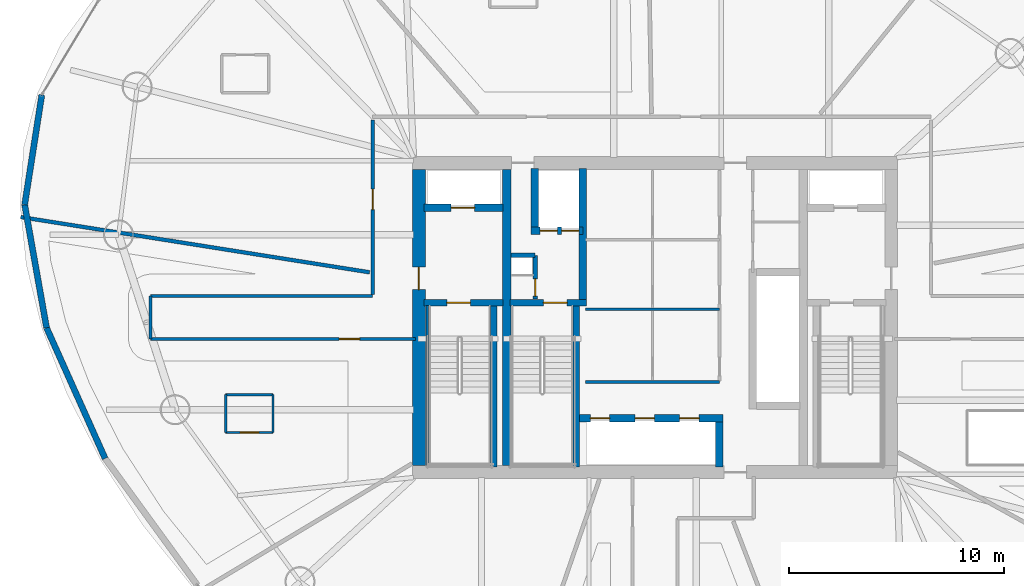
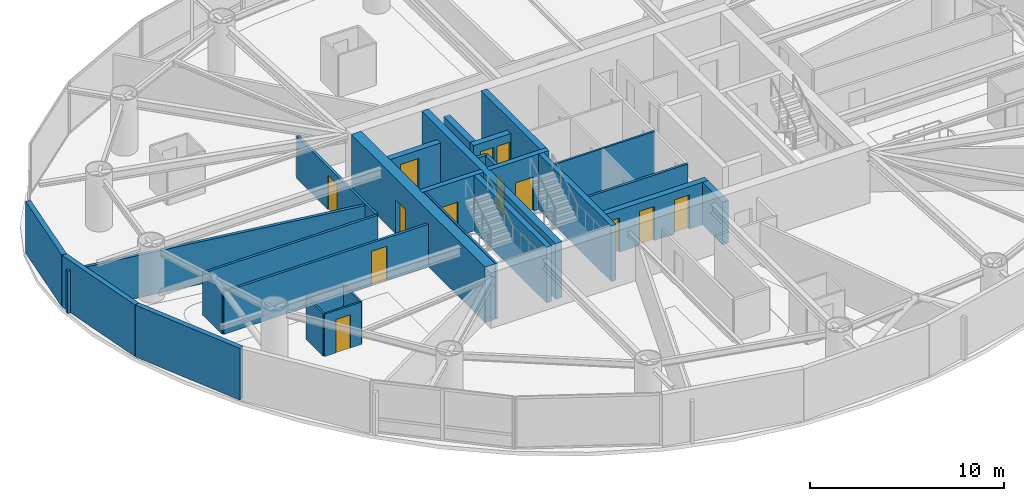
# One storey, part 14 of 20: 29 walls, 13 doors, 13 openings.
"""IFC4 building model written with IfcOpenShell, lengths in metres."""

from ifc_helpers import new_model, si_unit, direction, frame, frame_2d, origin, place, context, subcontext, project, spatial, rectangle, extrude, material, layer, layer_set, type_object, element, fill, save


model = new_model("IFC4")

# Units and contexts
model_context = context("Model", 3, precision=1e-05, world=origin(), true_north=direction((0.0, 1.0)))
body_context = subcontext(model_context, "Body", "Model", "MODEL_VIEW")
ifc_project = project(units=[si_unit("LENGTHUNIT", "METRE"), si_unit("AREAUNIT", "SQUARE_METRE"), si_unit("VOLUMEUNIT", "CUBIC_METRE"), si_unit("PLANEANGLEUNIT", "RADIAN"), si_unit("MASSUNIT", "GRAM", prefix="KILO")], contexts=[model_context])

# Site, building, storey
site_placement = place(None, origin())
site = spatial("IfcSite", under=ifc_project, at=site_placement, CompositionType="ELEMENT")
building_placement = place(site_placement, origin())
building = spatial("IfcBuilding", under=site, at=building_placement, Name="Bramvorn Convention Spire", CompositionType="ELEMENT")
storey_placement = place(building_placement, frame((0.0, 0.0, 113.300048828125)))
storey = spatial("IfcBuildingStorey", under=building, at=storey_placement, Name="L27", CompositionType="ELEMENT", Elevation=113.300048828125)

# Wall, opening, door
ifc_material_1 = material(Name="Concrete C60/70", Category="concrete")
ifc_layer_1 = layer(ifc_material_1, 0.60009765625)
ifc_layer_set_1 = layer_set([ifc_layer_1], Name="Concrete C60/70 - WL-CORE-600")
wall_type_1 = type_object("IfcWallType", Name="WL-CORE-600", PredefinedType="SHEAR", material=ifc_layer_set_1)
wall_1_placement = place(storey_placement, frame((27.0, 19.10009765625, 0.0), z_axis=(0.0, 0.0, 1.0), x_axis=(0.0, 1.0, 0.0)))
wall_1 = element("IfcWall", 1, at=wall_1_placement, inside=storey, type_object=wall_type_1, Name="L27 West RC core shear wall", PredefinedType="SHEAR", context=body_context, shape_type="SweptSolid", body=[
    extrude(rectangle(XDim=13.7998046875, YDim=0.60009765625, at=frame_2d((6.89990234375, 0.0))), origin(), (0.0, 0.0, 1.0), 3.5),
])
opening_1_placement = place(wall_1_placement, frame((8.199951171875, 0.0, 0.0)))
opening_1 = element("IfcOpeningElement", 2, at=opening_1_placement, cuts=wall_1, Name="Opening DL-105", PredefinedType="OPENING", context=body_context, shape_type="SweptSolid", body=[
    extrude(rectangle(XDim=1.050048828125, YDim=2.14990234375, at=frame_2d((0.52490234375, 1.074951171875))), frame((0.0, 0.31005859375, 0.0), z_axis=(0.0, -1.0, 0.0), x_axis=(1.0, 0.0, 0.0)), (0.0, 0.0, 1.0), 0.6201171875),
])
ifc_material_2 = material(Name="Smoke-Sealed Fire Lobby Timber-Core Door", Category="wood")
door_type_1 = type_object("IfcDoorType", Name="DR-LOBBY-1050", OperationType="NOTDEFINED", PredefinedType="DOOR", material=ifc_material_2)
door_1_placement = place(opening_1_placement, origin())
door_1 = element("IfcDoor", 3, at=door_1_placement, inside=storey, type_object=door_type_1, Name="L27 West Firefighting Lobby corridor door", OperationType="SINGLE_SWING_RIGHT", OverallHeight=2.14990234375, OverallWidth=1.050048828125, PredefinedType="DOOR", context=body_context, shape_type="SweptSolid", body=[
    extrude(rectangle(XDim=1.050048828125, YDim=2.14990234375, at=frame_2d((0.52490234375, 1.074951171875))), frame((0.0, 0.02490234375, 0.0), z_axis=(0.0, -1.0, 0.0), x_axis=(1.0, 0.0, 0.0)), (0.0, 0.0, 1.0), 0.050048828125),
])
fill(opening_1, door_1)

ifc_material_3 = material(Name="Concrete C50/60", Category="concrete")
ifc_layer_2 = layer(ifc_material_3, 0.35009765625)
ifc_layer_set_2 = layer_set([ifc_layer_2], Name="Concrete C50/60 - WL-CORE-INT-350")
wall_type_2 = type_object("IfcWallType", Name="WL-CORE-INT-350", PredefinedType="SHEAR", material=ifc_layer_set_2)
wall_2_placement = place(storey_placement, frame((27.25, 31.1201171875, 0.0), z_axis=(0.0, 0.0, 1.0), x_axis=(1.0, 0.0, 0.0)))
wall_2 = element("IfcWall", 4, at=wall_2_placement, inside=storey, type_object=wall_type_2, Name="L27 FE1 shaft front wall", PredefinedType="SHEAR", context=body_context, shape_type="SweptSolid", body=[
    extrude(rectangle(XDim=3.669921875, YDim=0.35009765625, at=frame_2d((1.8349609375, 0.0))), origin(), (0.0, 0.0, 1.0), 2.675048828125),
])
opening_2_placement = place(wall_2_placement, frame((1.25, 0.0, 0.0)))
opening_2 = element("IfcOpeningElement", 5, at=opening_2_placement, cuts=wall_2, Name="Opening LD-110", PredefinedType="OPENING", context=body_context, shape_type="SweptSolid", body=[
    extrude(rectangle(XDim=1.10009765625, YDim=2.14990234375, at=frame_2d((0.550048828125, 1.074951171875))), frame((0.0, 0.18505859375, 0.0), z_axis=(0.0, -1.0, 0.0), x_axis=(1.0, 0.0, 0.0)), (0.0, 0.0, 1.0), 0.3701171875),
])
ifc_material_4 = material(Name="Firefighting & Service Lift Sliding Landing Door", Category="steel")
door_type_2 = type_object("IfcDoorType", Name="DR-LIFT-LD-1100", OperationType="NOTDEFINED", PredefinedType="DOOR", material=ifc_material_4)
door_2_placement = place(opening_2_placement, origin())
door_2 = element("IfcDoor", 6, at=door_2_placement, inside=storey, type_object=door_type_2, Name="L27 Lift FE1 Sliding Landing Door", OperationType="SLIDING_TO_LEFT", OverallHeight=2.14990234375, OverallWidth=1.10009765625, PredefinedType="DOOR", context=body_context, shape_type="SweptSolid", body=[
    extrude(rectangle(XDim=1.10009765625, YDim=2.14990234375, at=frame_2d((0.550048828125, 1.074951171875))), frame((0.0, 0.02490234375, 0.0), z_axis=(0.0, -1.0, 0.0), x_axis=(1.0, 0.0, 0.0)), (0.0, 0.0, 1.0), 0.050048828125),
])
fill(opening_2, door_2)

# Wall
wall_3_placement = place(storey_placement, frame((34.639892578125, 26.68994140625, 0.0), z_axis=(0.0, 0.0, 1.0), x_axis=(0.0, 1.0, 0.0)))
element("IfcWall", 7, at=wall_3_placement, inside=storey, type_object=wall_type_2, Name="L27 SV east core shaft wall", PredefinedType="SHEAR", context=body_context, shape_type="SweptSolid", body=[
    extrude(rectangle(XDim=6.260009765625, YDim=0.35009765625, at=frame_2d((3.1298828125, 0.0))), origin(), (0.0, 0.0, 1.0), 3.5),
])

# Wall, openings, doors
wall_4_placement = place(storey_placement, frame((32.22998046875, 30.050048828125, 0.0), z_axis=(0.0, 0.0, 1.0), x_axis=(1.0, 0.0, 0.0)))
wall_4 = element("IfcWall", 8, at=wall_4_placement, inside=storey, type_object=wall_type_2, Name="L27 SV1/SV2 shaft front wall", PredefinedType="SHEAR", context=body_context, shape_type="SweptSolid", body=[
    extrude(rectangle(XDim=2.409912109375, YDim=0.35009765625, at=frame_2d((1.205078125, 0.0))), origin(), (0.0, 0.0, 1.0), 2.675048828125),
])
opening_3_placement = place(wall_4_placement, frame((0.419921875, 0.0, 0.0)))
opening_3 = element("IfcOpeningElement", 9, at=opening_3_placement, cuts=wall_4, Name="Opening LD-080", PredefinedType="OPENING", context=body_context, shape_type="SweptSolid", body=[
    extrude(rectangle(XDim=0.800048828125, YDim=2.14990234375, at=frame_2d((0.39990234375, 1.074951171875))), frame((0.0, 0.18505859375, 0.0), z_axis=(0.0, -1.0, 0.0), x_axis=(1.0, 0.0, 0.0)), (0.0, 0.0, 1.0), 0.3701171875),
])
opening_4_placement = place(wall_4_placement, frame((1.419921875, 0.0, 0.0)))
opening_4 = element("IfcOpeningElement", 10, at=opening_4_placement, cuts=wall_4, Name="Opening LD-080", PredefinedType="OPENING", context=body_context, shape_type="SweptSolid", body=[
    extrude(rectangle(XDim=0.800048828125, YDim=2.14990234375, at=frame_2d((0.39990234375, 1.074951171875))), frame((0.0, 0.18505859375, 0.0), z_axis=(0.0, -1.0, 0.0), x_axis=(1.0, 0.0, 0.0)), (0.0, 0.0, 1.0), 0.3701171875),
])
ifc_material_5 = material(Name="Service Lift Bi-Parting Landing Door", Category="steel")
door_type_3 = type_object("IfcDoorType", Name="DR-LIFT-LD-800", OperationType="NOTDEFINED", PredefinedType="DOOR", material=ifc_material_5)
door_3_placement = place(opening_3_placement, origin())
door_3 = element("IfcDoor", 11, at=door_3_placement, inside=storey, type_object=door_type_3, Name="L27 Lift SV1 Sliding Landing Door", OperationType="SLIDING_TO_LEFT", OverallHeight=2.14990234375, OverallWidth=0.800048828125, PredefinedType="DOOR", context=body_context, shape_type="SweptSolid", body=[
    extrude(rectangle(XDim=0.800048828125, YDim=2.14990234375, at=frame_2d((0.39990234375, 1.074951171875))), frame((0.0, 0.02490234375, 0.0), z_axis=(0.0, -1.0, 0.0), x_axis=(1.0, 0.0, 0.0)), (0.0, 0.0, 1.0), 0.050048828125),
])
fill(opening_3, door_3)
door_4_placement = place(opening_4_placement, origin())
door_4 = element("IfcDoor", 12, at=door_4_placement, inside=storey, type_object=door_type_3, Name="L27 Lift SV2 Sliding Landing Door", OperationType="SLIDING_TO_LEFT", OverallHeight=2.14990234375, OverallWidth=0.800048828125, PredefinedType="DOOR", context=body_context, shape_type="SweptSolid", body=[
    extrude(rectangle(XDim=0.800048828125, YDim=2.14990234375, at=frame_2d((0.39990234375, 1.074951171875))), frame((0.0, 0.02490234375, 0.0), z_axis=(0.0, -1.0, 0.0), x_axis=(1.0, 0.0, 0.0)), (0.0, 0.0, 1.0), 0.050048828125),
])
fill(opening_4, door_4)

# Wall
wall_5_placement = place(storey_placement, frame((32.39990234375, 30.219970703125, 0.0), z_axis=(0.0, 0.0, 1.0), x_axis=(0.0, 1.0, 0.0)))
element("IfcWall", 13, at=wall_5_placement, inside=storey, type_object=wall_type_2, Name="L27 SV1 west hoistway wall", PredefinedType="SHEAR", context=body_context, shape_type="SweptSolid", body=[
    extrude(rectangle(XDim=2.72998046875, YDim=0.35009765625, at=frame_2d((1.364990234375, 0.0))), origin(), (0.0, 0.0, 1.0), 2.675048828125),
])

# Wall, openings, doors
wall_6_placement = place(storey_placement, frame((34.489990234375, 21.300048828125, 0.0), z_axis=(0.0, 0.0, 1.0), x_axis=(1.0, 0.0, 0.0)))
wall_6 = element("IfcWall", 14, at=wall_6_placement, inside=storey, type_object=wall_type_2, Name="L27 Mid-rise bank north landing wall", PredefinedType="SHEAR", context=body_context, shape_type="SweptSolid", body=[
    extrude(rectangle(XDim=6.679931640625, YDim=0.35009765625, at=frame_2d((3.33984375, 0.0))), origin(), (0.0, 0.0, 1.0), 2.675048828125),
])
opening_5_placement = place(wall_6_placement, frame((0.5, 0.0, 0.0)))
opening_5 = element("IfcOpeningElement", 15, at=opening_5_placement, cuts=wall_6, Name="Opening LD-090", PredefinedType="OPENING", context=body_context, shape_type="SweptSolid", body=[
    extrude(rectangle(XDim=0.89990234375, YDim=2.14990234375, at=frame_2d((0.449951171875, 1.074951171875))), frame((0.0, 0.18505859375, 0.0), z_axis=(0.0, -1.0, 0.0), x_axis=(1.0, 0.0, 0.0)), (0.0, 0.0, 1.0), 0.3701171875),
])
opening_6_placement = place(wall_6_placement, frame((2.580078125, 0.0, 0.0)))
opening_6 = element("IfcOpeningElement", 16, at=opening_6_placement, cuts=wall_6, Name="Opening LD-090", PredefinedType="OPENING", context=body_context, shape_type="SweptSolid", body=[
    extrude(rectangle(XDim=0.89990234375, YDim=2.14990234375, at=frame_2d((0.449951171875, 1.074951171875))), frame((0.0, 0.18505859375, 0.0), z_axis=(0.0, -1.0, 0.0), x_axis=(1.0, 0.0, 0.0)), (0.0, 0.0, 1.0), 0.3701171875),
])
opening_7_placement = place(wall_6_placement, frame((4.659912109375, 0.0, 0.0)))
opening_7 = element("IfcOpeningElement", 17, at=opening_7_placement, cuts=wall_6, Name="Opening LD-090", PredefinedType="OPENING", context=body_context, shape_type="SweptSolid", body=[
    extrude(rectangle(XDim=0.89990234375, YDim=2.14990234375, at=frame_2d((0.449951171875, 1.074951171875))), frame((0.0, 0.18505859375, 0.0), z_axis=(0.0, -1.0, 0.0), x_axis=(1.0, 0.0, 0.0)), (0.0, 0.0, 1.0), 0.3701171875),
])
ifc_material_6 = material(Name="Bi-Parting Fire-Rated Lift Landing Door", Category="steel")
door_type_4 = type_object("IfcDoorType", Name="DR-LIFT-LD-900", OperationType="NOTDEFINED", PredefinedType="DOOR", material=ifc_material_6)
door_5_placement = place(opening_5_placement, origin())
door_5 = element("IfcDoor", 18, at=door_5_placement, inside=storey, type_object=door_type_4, Name="L27 Lift PM1 Sliding Landing Door", OperationType="SLIDING_TO_LEFT", OverallHeight=2.14990234375, OverallWidth=0.89990234375, PredefinedType="DOOR", context=body_context, shape_type="SweptSolid", body=[
    extrude(rectangle(XDim=0.89990234375, YDim=2.14990234375, at=frame_2d((0.449951171875, 1.074951171875))), frame((0.0, 0.02490234375, 0.0), z_axis=(0.0, -1.0, 0.0), x_axis=(1.0, 0.0, 0.0)), (0.0, 0.0, 1.0), 0.050048828125),
])
fill(opening_5, door_5)
door_6_placement = place(opening_6_placement, origin())
door_6 = element("IfcDoor", 19, at=door_6_placement, inside=storey, type_object=door_type_4, Name="L27 Lift PM2 Sliding Landing Door", OperationType="SLIDING_TO_LEFT", OverallHeight=2.14990234375, OverallWidth=0.89990234375, PredefinedType="DOOR", context=body_context, shape_type="SweptSolid", body=[
    extrude(rectangle(XDim=0.89990234375, YDim=2.14990234375, at=frame_2d((0.449951171875, 1.074951171875))), frame((0.0, 0.02490234375, 0.0), z_axis=(0.0, -1.0, 0.0), x_axis=(1.0, 0.0, 0.0)), (0.0, 0.0, 1.0), 0.050048828125),
])
fill(opening_6, door_6)
door_7_placement = place(opening_7_placement, origin())
door_7 = element("IfcDoor", 20, at=door_7_placement, inside=storey, type_object=door_type_4, Name="L27 Lift PM3 Sliding Landing Door", OperationType="SLIDING_TO_LEFT", OverallHeight=2.14990234375, OverallWidth=0.89990234375, PredefinedType="DOOR", context=body_context, shape_type="SweptSolid", body=[
    extrude(rectangle(XDim=0.89990234375, YDim=2.14990234375, at=frame_2d((0.449951171875, 1.074951171875))), frame((0.0, 0.02490234375, 0.0), z_axis=(0.0, -1.0, 0.0), x_axis=(1.0, 0.0, 0.0)), (0.0, 0.0, 1.0), 0.050048828125),
])
fill(opening_7, door_7)

# Walls
wall_7_placement = place(storey_placement, frame((41.0, 19.050048828125, 0.0), z_axis=(0.0, 0.0, 1.0), x_axis=(0.0, 1.0, 0.0)))
element("IfcWall", 21, at=wall_7_placement, inside=storey, type_object=wall_type_2, Name="L27 Mid-rise bank east cheek wall", PredefinedType="SHEAR", context=body_context, shape_type="SweptSolid", body=[
    extrude(rectangle(XDim=2.079833984375, YDim=0.35009765625, at=frame_2d((1.0400390625, 0.0))), origin(), (0.0, 0.0, 1.0), 2.675048828125),
])
ifc_layer_3 = layer(ifc_material_1, 0.39990234375)
ifc_layer_set_3 = layer_set([ifc_layer_3], Name="Concrete C60/70 - WL-CORE-INT-400")
wall_type_3 = type_object("IfcWallType", Name="WL-CORE-INT-400", PredefinedType="SHEAR", material=ifc_layer_set_3)
wall_8_placement = place(storey_placement, frame((31.10009765625, 19.10009765625, 0.0), z_axis=(0.0, 0.0, 1.0), x_axis=(0.0, 1.0, 0.0)))
element("IfcWall", 22, at=wall_8_placement, inside=storey, type_object=wall_type_3, Name="L27 West internal core shear web", PredefinedType="SHEAR", context=body_context, shape_type="SweptSolid", body=[
    extrude(rectangle(XDim=13.7998046875, YDim=0.39990234375, at=frame_2d((6.89990234375, 0.0))), origin(), (0.0, 0.0, 1.0), 3.5),
])
ifc_material_7 = material(Name="Precast Concrete C40/50 with Bronze Terracotta Rainscreen", Category="masonry")
ifc_layer_4 = layer(ifc_material_7, 0.300048828125)
ifc_layer_set_4 = layer_set([ifc_layer_4], Name="Precast Concrete C40/50 with Bronze Terracotta Rainscreen - WL-EXT-BRONZE-300")
wall_type_4 = type_object("IfcWallType", Name="WL-EXT-BRONZE-300", PredefinedType="SOLIDWALL", material=ifc_layer_set_4)
wall_9_placement = place(storey_placement, frame((8.64501953125, 31.253173828125, 0.0), z_axis=(0.0, 0.0, 1.0), x_axis=(0.154237267415, 0.988033838156, 0.0)))
element("IfcWall", 23, at=wall_9_placement, inside=storey, type_object=wall_type_4, Name="L27 expressed bronze Gothic lancet pier wall 13", PredefinedType="SOLIDWALL", context=body_context, shape_type="SweptSolid", body=[
    extrude(rectangle(XDim=5.174560546875, YDim=0.280029296875, at=frame_2d((2.58740234375, 0.0))), origin(), (0.0, 0.0, 1.0), 3.260009765625),
])
wall_10_placement = place(storey_placement, frame((9.66552734375, 25.5205078125, 0.0), z_axis=(0.0, 0.0, 1.0), x_axis=(-0.175260935911, 0.984522018212, 0.0)))
element("IfcWall", 24, at=wall_10_placement, inside=storey, type_object=wall_type_4, Name="L27 expressed bronze Gothic lancet pier wall 14", PredefinedType="SOLIDWALL", context=body_context, shape_type="SweptSolid", body=[
    extrude(rectangle(XDim=5.82275390625, YDim=0.280029296875, at=frame_2d((2.911376953125, 0.0))), origin(), (0.0, 0.0, 1.0), 3.260009765625),
])
wall_11_placement = place(storey_placement, frame((12.39111328125, 19.438232421875, 0.0), z_axis=(0.0, 0.0, 1.0), x_axis=(-0.408937052671, 0.912562593444, 0.0)))
element("IfcWall", 25, at=wall_11_placement, inside=storey, type_object=wall_type_4, Name="L27 expressed bronze Gothic lancet pier wall 15", PredefinedType="SOLIDWALL", context=body_context, shape_type="SweptSolid", body=[
    extrude(rectangle(XDim=6.6650390625, YDim=0.280029296875, at=frame_2d((3.33251953125, 0.0))), origin(), (0.0, 0.0, 1.0), 3.260009765625),
])
ifc_material_8 = material(Name="Lightweight En-Suite & Wet-Wall Partition", Category="gypsum")
ifc_layer_5 = layer(ifc_material_8, 0.110107421875)
ifc_layer_set_5 = layer_set([ifc_layer_5], Name="Lightweight En-Suite & Wet-Wall Partition - WL-PART-110")
wall_type_5 = type_object("IfcWallType", Name="WL-PART-110", PredefinedType="PARTITIONING", material=ifc_layer_set_5)
wall_12_placement = place(storey_placement, frame((34.75, 26.382080078125, 0.0), z_axis=(0.0, 0.0, 1.0), x_axis=(1.0, 0.0, 0.0)))
element("IfcWall", 26, at=wall_12_placement, inside=storey, type_object=wall_type_5, Name="L27 KB divider 1", PredefinedType="PARTITIONING", context=body_context, shape_type="SweptSolid", body=[
    extrude(rectangle(XDim=6.25, YDim=0.110107421875, at=frame_2d((3.125, 0.0))), origin(), (0.0, 0.0, 1.0), 2.675048828125),
])

# Wall, opening, door
wall_13_placement = place(storey_placement, frame((18.00634765625, 20.6474609375, 0.0), z_axis=(0.0, 0.0, 1.0), x_axis=(1.0, 0.0, 0.0)))
wall_13 = element("IfcWall", 27, at=wall_13_placement, inside=storey, type_object=wall_type_5, Name="Hotel Suite 2705 en-suite south wall", PredefinedType="PARTITIONING", context=body_context, shape_type="SweptSolid", body=[
    extrude(rectangle(XDim=2.199951171875, YDim=0.110107421875, at=frame_2d((1.10009765625, 0.0))), origin(), (0.0, 0.0, 1.0), 2.675048828125),
])
opening_8_placement = place(wall_13_placement, frame((0.679931640625, 0.0, 0.0)))
opening_8 = element("IfcOpeningElement", 28, at=opening_8_placement, cuts=wall_13, Name="Opening DI-085", PredefinedType="OPENING", context=body_context, shape_type="SweptSolid", body=[
    extrude(rectangle(XDim=0.85009765625, YDim=2.10009765625, at=frame_2d((0.425048828125, 1.050048828125))), frame((0.0, 0.06494140625, 0.0), z_axis=(0.0, -1.0, 0.0), x_axis=(1.0, 0.0, 0.0)), (0.0, 0.0, 1.0), 0.130126953125),
])
ifc_material_9 = material(Name="En-Suite & Restroom Privacy Door", Category="wood")
door_type_5 = type_object("IfcDoorType", Name="DR-INT-850", OperationType="NOTDEFINED", PredefinedType="DOOR", material=ifc_material_9)
door_8_placement = place(opening_8_placement, origin())
door_8 = element("IfcDoor", 29, at=door_8_placement, inside=storey, type_object=door_type_5, Name="Hotel Suite 2705 En-Suite Bathroom door", OperationType="SINGLE_SWING_LEFT", OverallHeight=2.10009765625, OverallWidth=0.85009765625, PredefinedType="DOOR", context=body_context, shape_type="SweptSolid", body=[
    extrude(rectangle(XDim=0.85009765625, YDim=2.10009765625, at=frame_2d((0.425048828125, 1.050048828125))), frame((0.0, 0.02490234375, 0.0), z_axis=(0.0, -1.0, 0.0), x_axis=(1.0, 0.0, 0.0)), (0.0, 0.0, 1.0), 0.050048828125),
])
fill(opening_8, door_8)

# Walls
wall_14_placement = place(storey_placement, frame((18.00634765625, 22.407470703125, 0.0), z_axis=(0.0, 0.0, 1.0), x_axis=(1.0, 0.0, 0.0)))
element("IfcWall", 30, at=wall_14_placement, inside=storey, type_object=wall_type_5, Name="Hotel Suite 2705 en-suite north wall", PredefinedType="PARTITIONING", context=body_context, shape_type="SweptSolid", body=[
    extrude(rectangle(XDim=2.199951171875, YDim=0.110107421875, at=frame_2d((1.10009765625, 0.0))), origin(), (0.0, 0.0, 1.0), 2.675048828125),
])
for number, where, z_axis, x_axis, name in (
    (31, (18.00634765625, 20.6474609375, 0.0), (0.0, 0.0, 1.0), (0.0, 1.0, 0.0), "Hotel Suite 2705 en-suite west wall"),
    (32, (20.206298828125, 20.6474609375, 0.0), (0.0, 0.0, 1.0), (0.0, 1.0, 0.0), "Hotel Suite 2705 en-suite east wall"),
):
    element("IfcWall", number, at=place(storey_placement, frame(where, z_axis=z_axis, x_axis=x_axis)), inside=storey, type_object=wall_type_5, Name=name, PredefinedType="PARTITIONING", context=body_context, shape_type="SweptSolid", body=[
        extrude(rectangle(XDim=1.760009765625, YDim=0.110107421875, at=frame_2d((0.8798828125, 0.0))), origin(), (0.0, 0.0, 1.0), 2.675048828125),
    ])
ifc_material_10 = material(Name="Acoustic Metal-Stud Tenant/Corridor Partition", Category="gypsum")
ifc_layer_6 = layer(ifc_material_10, 0.14990234375)
ifc_layer_set_6 = layer_set([ifc_layer_6], Name="Acoustic Metal-Stud Tenant/Corridor Partition - WL-PART-150")
wall_type_6 = type_object("IfcWallType", Name="WL-PART-150", PredefinedType="PARTITIONING", material=ifc_layer_set_6)
wall_15_placement = place(storey_placement, frame((34.75, 23.0, 0.0), z_axis=(0.0, 0.0, 1.0), x_axis=(1.0, 0.0, 0.0)))
element("IfcWall", 33, at=wall_15_placement, inside=storey, type_object=wall_type_6, Name="L27 Mid-rise lift vestibule north wall", PredefinedType="PARTITIONING", context=body_context, shape_type="SweptSolid", body=[
    extrude(rectangle(XDim=6.25, YDim=0.14990234375, at=frame_2d((3.125, 0.0))), origin(), (0.0, 0.0, 1.0), 2.675048828125),
])

# Wall, opening, door
wall_16_placement = place(storey_placement, frame((24.85009765625, 27.080078125, 0.0), z_axis=(0.0, 0.0, 1.0), x_axis=(0.0, 1.0, 0.0)))
wall_16 = element("IfcWall", 34, at=wall_16_placement, inside=storey, type_object=wall_type_6, Name="L27 NW gallery cheek", PredefinedType="PARTITIONING", context=body_context, shape_type="SweptSolid", body=[
    extrude(rectangle(XDim=8.119873046875, YDim=0.14990234375, at=frame_2d((4.06005859375, 0.0))), origin(), (0.0, 0.0, 1.0), 2.675048828125),
])
opening_9_placement = place(wall_16_placement, frame((3.94775390625, 0.0, 0.0)))
opening_9 = element("IfcOpeningElement", 35, at=opening_9_placement, cuts=wall_16, Name="Opening DH-095", PredefinedType="OPENING", context=body_context, shape_type="SweptSolid", body=[
    extrude(rectangle(XDim=0.949951171875, YDim=2.14990234375, at=frame_2d((0.47509765625, 1.074951171875))), frame((0.0, 0.0849609375, 0.0), z_axis=(0.0, -1.0, 0.0), x_axis=(1.0, 0.0, 0.0)), (0.0, 0.0, 1.0), 0.169921875),
])
ifc_material_11 = material(Name="Solid-Core Acoustic Guestroom Entry Door", Category="wood")
door_type_6 = type_object("IfcDoorType", Name="DR-HOTEL-950", OperationType="NOTDEFINED", PredefinedType="DOOR", material=ifc_material_11)
door_9_placement = place(opening_9_placement, origin())
door_9 = element("IfcDoor", 36, at=door_9_placement, inside=storey, type_object=door_type_6, Name="Hotel Suite 2704 entry door", OperationType="SINGLE_SWING_RIGHT", OverallHeight=2.14990234375, OverallWidth=0.949951171875, PredefinedType="DOOR", context=body_context, shape_type="SweptSolid", body=[
    extrude(rectangle(XDim=0.949951171875, YDim=2.14990234375, at=frame_2d((0.47509765625, 1.074951171875))), frame((0.0, 0.02490234375, 0.0), z_axis=(0.0, -1.0, 0.0), x_axis=(1.0, 0.0, 0.0)), (0.0, 0.0, 1.0), 0.050048828125),
])
fill(opening_9, door_9)

# Wall
wall_17_placement = place(storey_placement, frame((14.5, 27.0, 0.0), z_axis=(0.0, 0.0, 1.0), x_axis=(1.0, 0.0, 0.0)))
element("IfcWall", 37, at=wall_17_placement, inside=storey, type_object=wall_type_6, Name="L27 West wing spine north wall", PredefinedType="PARTITIONING", context=body_context, shape_type="SweptSolid", body=[
    extrude(rectangle(XDim=10.35009765625, YDim=0.14990234375, at=frame_2d((5.175048828125, 0.0))), origin(), (0.0, 0.0, 1.0), 2.675048828125),
])

# Wall, opening, door
wall_18_placement = place(storey_placement, frame((14.5, 25.0, 0.0), z_axis=(0.0, 0.0, 1.0), x_axis=(1.0, 0.0, 0.0)))
wall_18 = element("IfcWall", 38, at=wall_18_placement, inside=storey, type_object=wall_type_6, Name="L27 West wing spine south wall", PredefinedType="PARTITIONING", context=body_context, shape_type="SweptSolid", body=[
    extrude(rectangle(XDim=12.35009765625, YDim=0.14990234375, at=frame_2d((6.175048828125, 0.0))), origin(), (0.0, 0.0, 1.0), 2.675048828125),
])
opening_10_placement = place(wall_18_placement, frame((8.78759765625, 0.0, 0.0)))
opening_10 = element("IfcOpeningElement", 39, at=opening_10_placement, cuts=wall_18, Name="Opening DH-095", PredefinedType="OPENING", context=body_context, shape_type="SweptSolid", body=[
    extrude(rectangle(XDim=0.949951171875, YDim=2.14990234375, at=frame_2d((0.47509765625, 1.074951171875))), frame((0.0, 0.0849609375, 0.0), z_axis=(0.0, -1.0, 0.0), x_axis=(1.0, 0.0, 0.0)), (0.0, 0.0, 1.0), 0.169921875),
])
door_10_placement = place(opening_10_placement, origin())
door_10 = element("IfcDoor", 40, at=door_10_placement, inside=storey, type_object=door_type_6, Name="Hotel Suite 2705 entry door", OperationType="SINGLE_SWING_LEFT", OverallHeight=2.14990234375, OverallWidth=0.949951171875, PredefinedType="DOOR", context=body_context, shape_type="SweptSolid", body=[
    extrude(rectangle(XDim=0.949951171875, YDim=2.14990234375, at=frame_2d((0.47509765625, 1.074951171875))), frame((0.0, 0.02490234375, 0.0), z_axis=(0.0, -1.0, 0.0), x_axis=(1.0, 0.0, 0.0)), (0.0, 0.0, 1.0), 0.050048828125),
])
fill(opening_10, door_10)

# Walls
wall_19_placement = place(storey_placement, frame((14.5, 25.0, 0.0), z_axis=(0.0, 0.0, 1.0), x_axis=(0.0, 1.0, 0.0)))
element("IfcWall", 41, at=wall_19_placement, inside=storey, type_object=wall_type_6, Name="L27 West wing spine end wall", PredefinedType="PARTITIONING", context=body_context, shape_type="SweptSolid", body=[
    extrude(rectangle(XDim=2.0, YDim=0.14990234375, at=frame_2d((1.0, 0.0))), origin(), (0.0, 0.0, 1.0), 2.675048828125),
])
ifc_material_12 = material(Name="Double-Stud Acoustic Hotel/Suite Partition", Category="gypsum")
ifc_layer_7 = layer(ifc_material_12, 0.175048828125)
ifc_layer_set_7 = layer_set([ifc_layer_7], Name="Double-Stud Acoustic Hotel/Suite Partition - WL-PART-175")
wall_type_7 = type_object("IfcWallType", Name="WL-PART-175", PredefinedType="PARTITIONING", material=ifc_layer_set_7)
wall_20_placement = place(storey_placement, frame((24.7099609375, 28.10498046875, 0.0), z_axis=(0.0, 0.0, 1.0), x_axis=(-0.98768802025, 0.156436487606, 0.0)))
element("IfcWall", 42, at=wall_20_placement, inside=storey, type_object=wall_type_7, Name="L27 Guestroom demising wall 5", PredefinedType="PARTITIONING", context=body_context, shape_type="SweptSolid", body=[
    extrude(rectangle(XDim=16.453857421875, YDim=0.175048828125, at=frame_2d((8.22705078125, 0.0))), origin(), (0.0, 0.0, 1.0), 2.675048828125),
])

# Wall, opening, door
ifc_material_13 = material(Name="Gypsum Shaftwall & Rockwool Core Partition", Category="gypsum")
ifc_layer_8 = layer(ifc_material_13, 0.199951171875)
ifc_layer_set_8 = layer_set([ifc_layer_8], Name="Gypsum Shaftwall & Rockwool Core Partition - WL-PART-200-FR")
wall_type_8 = type_object("IfcWallType", Name="WL-PART-200-FR", PredefinedType="PARTITIONING", material=ifc_layer_set_8)
wall_21_placement = place(storey_placement, frame((32.419921875, 26.860107421875, 0.0), z_axis=(0.0, 0.0, 1.0), x_axis=(0.0, 1.0, 0.0)))
wall_21 = element("IfcWall", 43, at=wall_21_placement, inside=storey, type_object=wall_type_8, Name="L27 Telecom riser east wall", PredefinedType="PARTITIONING", context=body_context, shape_type="SweptSolid", body=[
    extrude(rectangle(XDim=2.039794921875, YDim=0.199951171875, at=frame_2d((1.02001953125, 0.0))), origin(), (0.0, 0.0, 1.0), 2.675048828125),
])
opening_11_placement = place(wall_21_placement, frame((0.139892578125, 0.0, 0.0)))
opening_11 = element("IfcOpeningElement", 44, at=opening_11_placement, cuts=wall_21, Name="Opening DR-080", PredefinedType="OPENING", context=body_context, shape_type="SweptSolid", body=[
    extrude(rectangle(XDim=0.800048828125, YDim=2.050048828125, at=frame_2d((0.39990234375, 1.02490234375))), frame((0.0, 0.10986328125, 0.0), z_axis=(0.0, -1.0, 0.0), x_axis=(1.0, 0.0, 0.0)), (0.0, 0.0, 1.0), 0.219970703125),
])
ifc_material_14 = material(Name="Flush Steel Riser Access Door", Category="steel")
door_type_7 = type_object("IfcDoorType", Name="DR-RISER-800", OperationType="NOTDEFINED", PredefinedType="DOOR", material=ifc_material_14)
door_11_placement = place(opening_11_placement, origin())
door_11 = element("IfcDoor", 45, at=door_11_placement, inside=storey, type_object=door_type_7, Name="L27 Telecom riser access door", OperationType="SINGLE_SWING_RIGHT", OverallHeight=2.050048828125, OverallWidth=0.800048828125, PredefinedType="DOOR", context=body_context, shape_type="SweptSolid", body=[
    extrude(rectangle(XDim=0.800048828125, YDim=2.050048828125, at=frame_2d((0.39990234375, 1.02490234375))), frame((0.0, 0.02490234375, 0.0), z_axis=(0.0, -1.0, 0.0), x_axis=(1.0, 0.0, 0.0)), (0.0, 0.0, 1.0), 0.050048828125),
])
fill(opening_11, door_11)

# Wall
wall_22_placement = place(storey_placement, frame((31.300048828125, 28.89990234375, 0.0), z_axis=(0.0, 0.0, 1.0), x_axis=(1.0, 0.0, 0.0)))
element("IfcWall", 46, at=wall_22_placement, inside=storey, type_object=wall_type_8, Name="L27 Telecom riser north wall", PredefinedType="PARTITIONING", context=body_context, shape_type="SweptSolid", body=[
    extrude(rectangle(XDim=1.119873046875, YDim=0.199951171875, at=frame_2d((0.56005859375, 0.0))), origin(), (0.0, 0.0, 1.0), 2.675048828125),
])

# Wall, opening, door
ifc_layer_9 = layer(ifc_material_3, 0.300048828125)
ifc_layer_set_9 = layer_set([ifc_layer_9], Name="Concrete C50/60 - WL-POD-STAIR-300")
wall_type_9 = type_object("IfcWallType", Name="WL-POD-STAIR-300", PredefinedType="SHEAR", material=ifc_layer_set_9)
wall_23_placement = place(storey_placement, frame((27.25, 26.68994140625, 0.0), z_axis=(0.0, 0.0, 1.0), x_axis=(1.0, 0.0, 0.0)))
wall_23 = element("IfcWall", 47, at=wall_23_placement, inside=storey, type_object=wall_type_9, Name="L27 ST1 north fire wall", PredefinedType="SHEAR", context=body_context, shape_type="SweptSolid", body=[
    extrude(rectangle(XDim=3.669921875, YDim=0.300048828125, at=frame_2d((1.8349609375, 0.0))), origin(), (0.0, 0.0, 1.0), 3.5),
])
opening_12_placement = place(wall_23_placement, frame((1.050048828125, 0.0, 0.0)))
opening_12 = element("IfcOpeningElement", 48, at=opening_12_placement, cuts=wall_23, Name="Opening DS-110", PredefinedType="OPENING", context=body_context, shape_type="SweptSolid", body=[
    extrude(rectangle(XDim=1.10009765625, YDim=2.14990234375, at=frame_2d((0.550048828125, 1.074951171875))), frame((0.0, 0.159912109375, 0.0), z_axis=(0.0, -1.0, 0.0), x_axis=(1.0, 0.0, 0.0)), (0.0, 0.0, 1.0), 0.320068359375),
])
ifc_material_15 = material(Name="Fire-Rated Hollow Steel Stairwell Door", Category="steel")
door_type_8 = type_object("IfcDoorType", Name="DR-STAIR-1100", OperationType="NOTDEFINED", PredefinedType="DOOR", material=ifc_material_15)
door_12_placement = place(opening_12_placement, origin())
door_12 = element("IfcDoor", 49, at=door_12_placement, inside=storey, type_object=door_type_8, Name="L27 Stair ST1 fire door", OperationType="SINGLE_SWING_LEFT", OverallHeight=2.14990234375, OverallWidth=1.10009765625, PredefinedType="DOOR", context=body_context, shape_type="SweptSolid", body=[
    extrude(rectangle(XDim=1.10009765625, YDim=2.14990234375, at=frame_2d((0.550048828125, 1.074951171875))), frame((0.0, 0.02490234375, 0.0), z_axis=(0.0, -1.0, 0.0), x_axis=(1.0, 0.0, 0.0)), (0.0, 0.0, 1.0), 0.050048828125),
])
fill(opening_12, door_12)

# Walls
for number, where, z_axis, x_axis, name in (
    (50, (30.489990234375, 19.050048828125, 0.0), (0.0, 0.0, 1.0), (0.0, 1.0, 0.0), "L27 ST1 east bearing wall"),
    (51, (34.340087890625, 19.050048828125, 0.0), (0.0, 0.0, 1.0), (0.0, 1.0, 0.0), "L27 ST3 east bearing wall"),
):
    element("IfcWall", number, at=place(storey_placement, frame(where, z_axis=z_axis, x_axis=x_axis)), inside=storey, type_object=wall_type_9, Name=name, PredefinedType="SHEAR", context=body_context, shape_type="SweptSolid", body=[
        extrude(rectangle(XDim=7.5, YDim=0.300048828125, at=frame_2d((3.75, 0.0))), origin(), (0.0, 0.0, 1.0), 3.5),
    ])

# Wall, opening, door
wall_24_placement = place(storey_placement, frame((31.25, 26.68994140625, 0.0), z_axis=(0.0, 0.0, 1.0), x_axis=(1.0, 0.0, 0.0)))
wall_24 = element("IfcWall", 52, at=wall_24_placement, inside=storey, type_object=wall_type_9, Name="L27 ST3 north lobby wall", PredefinedType="SHEAR", context=body_context, shape_type="SweptSolid", body=[
    extrude(rectangle(XDim=3.56005859375, YDim=0.300048828125, at=frame_2d((1.780029296875, 0.0))), origin(), (0.0, 0.0, 1.0), 3.5),
])
opening_13_placement = place(wall_24_placement, frame((1.550048828125, 0.0, 0.0)))
opening_13 = element("IfcOpeningElement", 53, at=opening_13_placement, cuts=wall_24, Name="Opening DS-110", PredefinedType="OPENING", context=body_context, shape_type="SweptSolid", body=[
    extrude(rectangle(XDim=1.10009765625, YDim=2.14990234375, at=frame_2d((0.550048828125, 1.074951171875))), frame((0.0, 0.159912109375, 0.0), z_axis=(0.0, -1.0, 0.0), x_axis=(1.0, 0.0, 0.0)), (0.0, 0.0, 1.0), 0.320068359375),
])
door_13_placement = place(opening_13_placement, origin())
door_13 = element("IfcDoor", 54, at=door_13_placement, inside=storey, type_object=door_type_8, Name="L27 Stair ST3 fire door", OperationType="SINGLE_SWING_LEFT", OverallHeight=2.14990234375, OverallWidth=1.10009765625, PredefinedType="DOOR", context=body_context, shape_type="SweptSolid", body=[
    extrude(rectangle(XDim=1.10009765625, YDim=2.14990234375, at=frame_2d((0.550048828125, 1.074951171875))), frame((0.0, 0.02490234375, 0.0), z_axis=(0.0, -1.0, 0.0), x_axis=(1.0, 0.0, 0.0)), (0.0, 0.0, 1.0), 0.050048828125),
])
fill(opening_13, door_13)

# Wall
ifc_layer_10 = layer(ifc_material_3, 0.1201171875)
ifc_layer_set_10 = layer_set([ifc_layer_10], Name="Concrete C50/60 - WL-STAIR-RC-120")
wall_type_10 = type_object("IfcWallType", Name="WL-STAIR-RC-120", PredefinedType="SHEAR", material=ifc_layer_set_10)
wall_25_placement = place(storey_placement, frame((27.39501953125, 19.10009765625, 0.0), z_axis=(0.0, 0.0, 1.0), x_axis=(0.0, 1.0, 0.0)))
element("IfcWall", 55, at=wall_25_placement, inside=storey, type_object=wall_type_10, Name="L27 ST1 west bearing shear wall", PredefinedType="SHEAR", context=body_context, shape_type="SweptSolid", body=[
    extrude(rectangle(XDim=7.449951171875, YDim=0.1201171875, at=frame_2d((3.72509765625, 0.0))), origin(), (0.0, 0.0, 1.0), 3.5),
])

save(model, "model.ifc")
